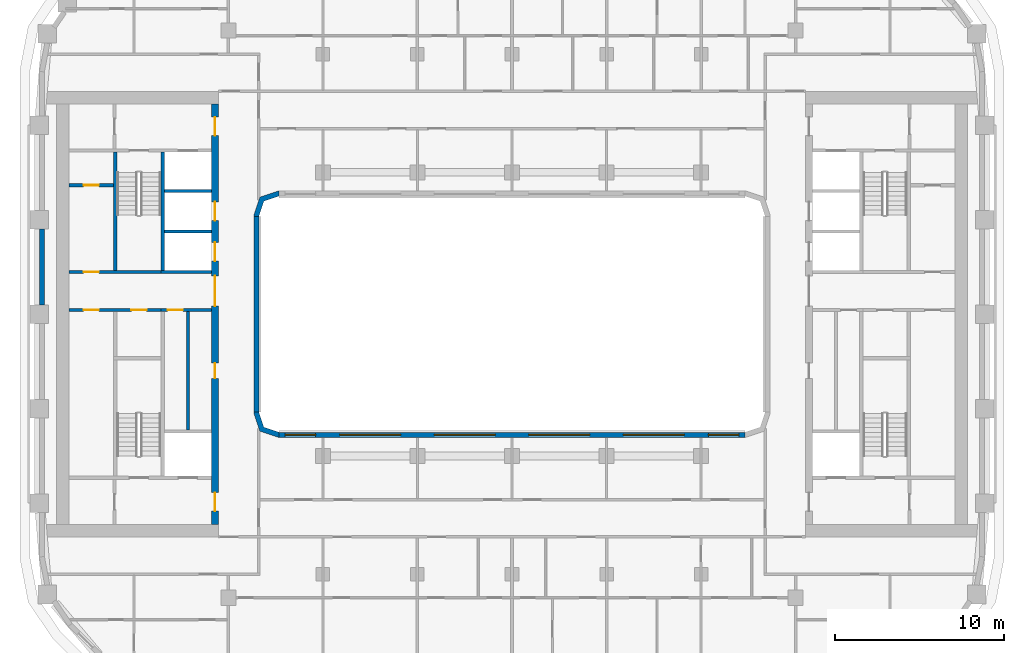
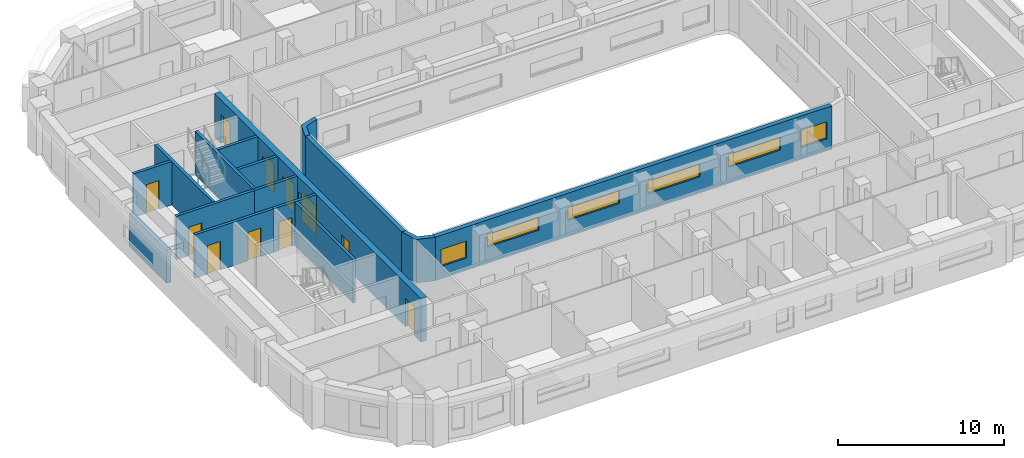
# One storey, part 4 of 22: 16 walls, 11 doors, 6 windows, 17 openings.
"""IFC4 building model written with IfcOpenShell, lengths in metres."""

from ifc_helpers import new_model, si_unit, direction, frame, frame_2d, origin, place, context, subcontext, project, spatial, polyline, rectangle, outline, extrude, material, layer, layer_set, type_object, element, fill, save


model = new_model("IFC4")

# Units and contexts
model_context = context("Model", 3, precision=1e-05, world=origin(), true_north=direction((0.0, 1.0)))
body_context = subcontext(model_context, "Body", "Model", "MODEL_VIEW")
ifc_project = project(units=[si_unit("LENGTHUNIT", "METRE"), si_unit("AREAUNIT", "SQUARE_METRE"), si_unit("VOLUMEUNIT", "CUBIC_METRE"), si_unit("PLANEANGLEUNIT", "RADIAN"), si_unit("MASSUNIT", "GRAM", prefix="KILO")], contexts=[model_context])

# Site, building, storey
site_placement = place(None, origin())
site = spatial("IfcSite", under=ifc_project, at=site_placement, CompositionType="ELEMENT")
building_placement = place(site_placement, origin())
building = spatial("IfcBuilding", under=site, at=building_placement, Name="Kiln Ring Residences", CompositionType="ELEMENT")
storey_placement = place(building_placement, frame((0.0, 0.0, 143.10009765625)))
storey = spatial("IfcBuildingStorey", under=building, at=storey_placement, Name="L36", CompositionType="ELEMENT", Elevation=143.10009765625)

# Wall, openings, doors
ifc_material_1 = material(Name="Gypsum board on steel studs", Category="steel")
ifc_layer_1 = layer(ifc_material_1, 0.199951171875)
ifc_layer_set_1 = layer_set([ifc_layer_1], Name="CORE-PARTITION-200")
wall_type_1 = type_object("IfcWallType", Name="CORE-PARTITION-200", PredefinedType="PARTITIONING", material=ifc_layer_set_1)
wall_1_placement = place(storey_placement, frame((-20.800048828125, 0.25, 0.0), z_axis=(0.0, 0.0, 1.0), x_axis=(-1.0, 0.0, 0.0)))
wall_1 = element("IfcWall", 1, at=wall_1_placement, inside=storey, type_object=wall_type_1, Name="Core partition west L36 2", PredefinedType="PARTITIONING", context=body_context, shape_type="SweptSolid", body=[
    extrude(rectangle(XDim=5.449951171875, YDim=0.199951171875, at=frame_2d((2.72509765625, 0.0))), origin(), (0.0, 0.0, 1.0), 3.199951171875),
])
opening_1_placement = place(wall_1_placement, frame((0.85009765625, 0.0, 0.0)))
opening_1 = element("IfcOpeningElement", 2, at=opening_1_placement, cuts=wall_1, Name="Opening L36-CW14", PredefinedType="OPENING", context=body_context, shape_type="SweptSolid", body=[
    extrude(rectangle(XDim=0.89990234375, YDim=2.10009765625, at=frame_2d((0.449951171875, 1.050048828125))), frame((0.0, 0.10986328125, 0.0), z_axis=(0.0, -1.0, 0.0), x_axis=(1.0, 0.0, 0.0)), (0.0, 0.0, 1.0), 0.219970703125),
])
opening_2_placement = place(wall_1_placement, frame((3.675048828125, 0.0, 0.0)))
opening_2 = element("IfcOpeningElement", 3, at=opening_2_placement, cuts=wall_1, Name="Opening L36-CW15", PredefinedType="OPENING", context=body_context, shape_type="SweptSolid", body=[
    extrude(rectangle(XDim=0.89990234375, YDim=2.10009765625, at=frame_2d((0.449951171875, 1.050048828125))), frame((0.0, 0.10986328125, 0.0), z_axis=(0.0, -1.0, 0.0), x_axis=(1.0, 0.0, 0.0)), (0.0, 0.0, 1.0), 0.219970703125),
])
ifc_material_2 = material(Name="Steel door leaf", Category="steel")
door_type_1 = type_object("IfcDoorType", Name="CORE-DOOR-ROOM", OperationType="SINGLE_SWING_LEFT", PredefinedType="DOOR", material=ifc_material_2)
door_1_placement = place(opening_1_placement, origin())
door_1 = element("IfcDoor", 4, at=door_1_placement, inside=storey, type_object=door_type_1, Name="Refuse and recycling room L36-CW14", OperationType="SINGLE_SWING_RIGHT", OverallHeight=2.10009765625, OverallWidth=0.89990234375, PredefinedType="DOOR", context=body_context, shape_type="SweptSolid", body=[
    extrude(rectangle(XDim=0.89990234375, YDim=2.10009765625, at=frame_2d((0.449951171875, 1.050048828125))), frame((0.0, 0.02490234375, 0.0), z_axis=(0.0, -1.0, 0.0), x_axis=(1.0, 0.0, 0.0)), (0.0, 0.0, 1.0), 0.050048828125),
])
fill(opening_1, door_1)
door_2_placement = place(opening_2_placement, origin())
door_2 = element("IfcDoor", 5, at=door_2_placement, inside=storey, type_object=door_type_1, Name="Water tank room L36-CW15", OperationType="SINGLE_SWING_LEFT", OverallHeight=2.10009765625, OverallWidth=0.89990234375, PredefinedType="DOOR", context=body_context, shape_type="SweptSolid", body=[
    extrude(rectangle(XDim=0.89990234375, YDim=2.10009765625, at=frame_2d((0.449951171875, 1.050048828125))), frame((0.0, 0.02490234375, 0.0), z_axis=(0.0, -1.0, 0.0), x_axis=(1.0, 0.0, 0.0)), (0.0, 0.0, 1.0), 0.050048828125),
])
fill(opening_2, door_2)

# Wall
wall_2_placement = place(storey_placement, frame((-19.199951171875, -6.85009765625, 0.0), z_axis=(0.0, 0.0, 1.0), x_axis=(0.0, 1.0, 0.0)))
element("IfcWall", 6, at=wall_2_placement, inside=storey, type_object=wall_type_1, Name="Core partition west L36 3", PredefinedType="PARTITIONING", context=body_context, shape_type="SweptSolid", body=[
    extrude(rectangle(XDim=7.0, YDim=0.199951171875, at=frame_2d((3.5, 0.0))), origin(), (0.0, 0.0, 1.0), 3.199951171875),
])

# Wall, opening, door
wall_3_placement = place(storey_placement, frame((-23.60009765625, 7.639892578125, 0.0), z_axis=(0.0, 0.0, 1.0), x_axis=(-1.0, 0.0, 0.0)))
wall_3 = element("IfcWall", 7, at=wall_3_placement, inside=storey, type_object=wall_type_1, Name="Core partition west L36 6", PredefinedType="PARTITIONING", context=body_context, shape_type="SweptSolid", body=[
    extrude(rectangle(XDim=2.64990234375, YDim=0.199951171875, at=frame_2d((1.324951171875, 0.0))), origin(), (0.0, 0.0, 1.0), 3.199951171875),
])
opening_3_placement = place(wall_3_placement, frame((0.875, 0.0, 0.0)))
opening_3 = element("IfcOpeningElement", 8, at=opening_3_placement, cuts=wall_3, Name="Opening L36-CW16", PredefinedType="OPENING", context=body_context, shape_type="SweptSolid", body=[
    extrude(rectangle(XDim=0.89990234375, YDim=2.10009765625, at=frame_2d((0.449951171875, 1.050048828125))), frame((0.0, 0.10986328125, 0.0), z_axis=(0.0, -1.0, 0.0), x_axis=(1.0, 0.0, 0.0)), (0.0, 0.0, 1.0), 0.219970703125),
])
door_3_placement = place(opening_3_placement, origin())
door_3 = element("IfcDoor", 9, at=door_3_placement, inside=storey, type_object=door_type_1, Name="UPS room L36-CW16", OperationType="SINGLE_SWING_LEFT", OverallHeight=2.10009765625, OverallWidth=0.89990234375, PredefinedType="DOOR", context=body_context, shape_type="SweptSolid", body=[
    extrude(rectangle(XDim=0.89990234375, YDim=2.10009765625, at=frame_2d((0.449951171875, 1.050048828125))), frame((0.0, 0.02490234375, 0.0), z_axis=(0.0, -1.0, 0.0), x_axis=(1.0, 0.0, 0.0)), (0.0, 0.0, 1.0), 0.050048828125),
])
fill(opening_3, door_3)

ifc_material_3 = material(Name="Gypsum shaft wall system")
ifc_layer_2 = layer(ifc_material_3, 0.199951171875)
ifc_layer_set_2 = layer_set([ifc_layer_2], Name="CORE-SHAFT-WALL-200")
wall_type_2 = type_object("IfcWallType", Name="CORE-SHAFT-WALL-200", PredefinedType="PARTITIONING", material=ifc_layer_set_2)
wall_4_placement = place(storey_placement, frame((-17.800048828125, 0.25, 0.0), z_axis=(0.0, 0.0, 1.0), x_axis=(-1.0, 0.0, 0.0)))
wall_4 = element("IfcWall", 10, at=wall_4_placement, inside=storey, type_object=wall_type_2, Name="Core partition west L36 8", PredefinedType="PARTITIONING", context=body_context, shape_type="SweptSolid", body=[
    extrude(rectangle(XDim=3.0, YDim=0.199951171875, at=frame_2d((1.5, 0.0))), origin(), (0.0, 0.0, 1.0), 3.199951171875),
])
opening_4_placement = place(wall_4_placement, frame((1.699951171875, 0.0, 0.0)))
opening_4 = element("IfcOpeningElement", 11, at=opening_4_placement, cuts=wall_4, Name="Opening L36-CW03", PredefinedType="OPENING", context=body_context, shape_type="SweptSolid", body=[
    extrude(rectangle(XDim=0.89990234375, YDim=2.10009765625, at=frame_2d((0.449951171875, 1.050048828125))), frame((0.0, 0.10986328125, 0.0), z_axis=(0.0, -1.0, 0.0), x_axis=(1.0, 0.0, 0.0)), (0.0, 0.0, 1.0), 0.219970703125),
])
door_4_placement = place(opening_4_placement, origin())
door_4 = element("IfcDoor", 12, at=door_4_placement, inside=storey, type_object=door_type_1, Name="Locker store L36-CW03", OperationType="SINGLE_SWING_LEFT", OverallHeight=2.10009765625, OverallWidth=0.89990234375, PredefinedType="DOOR", context=body_context, shape_type="SweptSolid", body=[
    extrude(rectangle(XDim=0.89990234375, YDim=2.10009765625, at=frame_2d((0.449951171875, 1.050048828125))), frame((0.0, 0.02490234375, 0.0), z_axis=(0.0, -1.0, 0.0), x_axis=(1.0, 0.0, 0.0)), (0.0, 0.0, 1.0), 0.050048828125),
])
fill(opening_4, door_4)

# Walls
wall_5_placement = place(storey_placement, frame((-17.800048828125, 2.5, 0.0), z_axis=(0.0, 0.0, 1.0), x_axis=(-1.0, 0.0, 0.0)))
element("IfcWall", 13, at=wall_5_placement, inside=storey, type_object=wall_type_2, Name="Core partition west L36 9", PredefinedType="PARTITIONING", context=body_context, shape_type="SweptSolid", body=[
    extrude(rectangle(XDim=3.0, YDim=0.199951171875, at=frame_2d((1.5, 0.0))), origin(), (0.0, 0.0, 1.0), 3.199951171875),
])
for number, where, z_axis, x_axis, name in (
    (14, (-17.800048828125, 4.89990234375, 0.0), (0.0, 0.0, 1.0), (-1.0, 0.0, 0.0), "Core partition west L36 10"),
    (15, (-17.800048828125, 7.300048828125, 0.0), (0.0, 0.0, 1.0), (-1.0, 0.0, 0.0), "Core partition west L36 11"),
):
    element("IfcWall", number, at=place(storey_placement, frame(where, z_axis=z_axis, x_axis=x_axis)), inside=storey, type_object=wall_type_2, Name=name, PredefinedType="PARTITIONING", context=body_context, shape_type="SweptSolid", body=[
        extrude(rectangle(XDim=2.800048828125, YDim=0.199951171875, at=frame_2d((1.39990234375, 0.0))), origin(), (0.0, 0.0, 1.0), 3.199951171875),
    ])
ifc_material_4 = material(Name="Concrete C40/50", Category="concrete")
ifc_layer_3 = layer(ifc_material_4, 0.199951171875)
ifc_layer_set_3 = layer_set([ifc_layer_3], Name="CORE-WALL-RC200")
wall_type_3 = type_object("IfcWallType", Name="CORE-WALL-RC200", PredefinedType="SHEAR", material=ifc_layer_set_3)
wall_6_placement = place(storey_placement, frame((-20.699951171875, 2.60009765625, 0.0), z_axis=(0.0, 0.0, 1.0), x_axis=(0.0, 1.0, 0.0)))
element("IfcWall", 16, at=wall_6_placement, inside=storey, type_object=wall_type_3, Name="Core wall west L36 1", PredefinedType="SHEAR", context=body_context, shape_type="SweptSolid", body=[
    extrude(rectangle(XDim=7.0, YDim=0.199951171875, at=frame_2d((3.5, 0.0))), origin(), (0.0, 0.0, 1.0), 3.199951171875),
])

# Wall, opening, door
wall_7_placement = place(storey_placement, frame((-20.800048828125, 2.5, 0.0), z_axis=(0.0, 0.0, 1.0), x_axis=(-1.0, 0.0, 0.0)))
wall_7 = element("IfcWall", 17, at=wall_7_placement, inside=storey, type_object=wall_type_3, Name="Core wall west L36 3", PredefinedType="SHEAR", context=body_context, shape_type="SweptSolid", body=[
    extrude(rectangle(XDim=5.449951171875, YDim=0.199951171875, at=frame_2d((2.72509765625, 0.0))), origin(), (0.0, 0.0, 1.0), 3.199951171875),
])
opening_5_placement = place(wall_7_placement, frame((3.675048828125, 0.0, 0.0)))
opening_5 = element("IfcOpeningElement", 18, at=opening_5_placement, cuts=wall_7, Name="Opening L36-CW17", PredefinedType="OPENING", context=body_context, shape_type="SweptSolid", body=[
    extrude(rectangle(XDim=0.89990234375, YDim=2.10009765625, at=frame_2d((0.449951171875, 1.050048828125))), frame((0.0, 0.10986328125, 0.0), z_axis=(0.0, -1.0, 0.0), x_axis=(1.0, 0.0, 0.0)), (0.0, 0.0, 1.0), 0.219970703125),
])
door_5_placement = place(opening_5_placement, origin())
door_5 = element("IfcDoor", 19, at=door_5_placement, inside=storey, type_object=door_type_1, Name="Electrical plant room L36-CW17", OperationType="SINGLE_SWING_RIGHT", OverallHeight=2.10009765625, OverallWidth=0.89990234375, PredefinedType="DOOR", context=body_context, shape_type="SweptSolid", body=[
    extrude(rectangle(XDim=0.89990234375, YDim=2.10009765625, at=frame_2d((0.449951171875, 1.050048828125))), frame((0.0, 0.02490234375, 0.0), z_axis=(0.0, -1.0, 0.0), x_axis=(1.0, 0.0, 0.0)), (0.0, 0.0, 1.0), 0.050048828125),
])
fill(opening_5, door_5)

# Wall
wall_8_placement = place(storey_placement, frame((-23.5, 2.60009765625, 0.0), z_axis=(0.0, 0.0, 1.0), x_axis=(0.0, 1.0, 0.0)))
element("IfcWall", 20, at=wall_8_placement, inside=storey, type_object=wall_type_3, Name="Core wall west L36 10", PredefinedType="SHEAR", context=body_context, shape_type="SweptSolid", body=[
    extrude(rectangle(XDim=7.0, YDim=0.199951171875, at=frame_2d((3.5, 0.0))), origin(), (0.0, 0.0, 1.0), 3.199951171875),
])

# Wall, openings, doors
ifc_material_5 = material(Name="Concrete C60/75", Category="concrete")
ifc_layer_4 = layer(ifc_material_5, 0.39990234375)
ifc_layer_set_4 = layer_set([ifc_layer_4], Name="CORE-WALL-RC400")
wall_type_4 = type_object("IfcWallType", Name="CORE-WALL-RC400", PredefinedType="SHEAR", material=ifc_layer_set_4)
wall_9_placement = place(storey_placement, frame((-17.60009765625, -12.449951171875, 0.0), z_axis=(0.0, 0.0, 1.0), x_axis=(0.0, 1.0, 0.0)))
wall_9 = element("IfcWall", 21, at=wall_9_placement, inside=storey, type_object=wall_type_4, Name="Core wall west L36 6", PredefinedType="SHEAR", context=body_context, shape_type="SweptSolid", body=[
    extrude(rectangle(XDim=24.89990234375, YDim=0.39990234375, at=frame_2d((12.449951171875, 0.0))), origin(), (0.0, 0.0, 1.0), 3.199951171875),
])
opening_6_placement = place(wall_9_placement, frame((8.64990234375, 0.0, 0.0)))
opening_6 = element("IfcOpeningElement", 22, at=opening_6_placement, cuts=wall_9, Name="Opening L36-CW02", PredefinedType="OPENING", context=body_context, shape_type="SweptSolid", body=[
    extrude(rectangle(XDim=0.89990234375, YDim=2.10009765625, at=frame_2d((0.449951171875, 1.050048828125))), frame((0.0, 0.2099609375, 0.0), z_axis=(0.0, -1.0, 0.0), x_axis=(1.0, 0.0, 0.0)), (0.0, 0.0, 1.0), 0.419921875),
])
opening_7_placement = place(wall_9_placement, frame((15.60009765625, 0.0, 0.0)))
opening_7 = element("IfcOpeningElement", 23, at=opening_7_placement, cuts=wall_9, Name="Opening L36-CW04", PredefinedType="OPENING", context=body_context, shape_type="SweptSolid", body=[
    extrude(rectangle(XDim=1.10009765625, YDim=2.10009765625, at=frame_2d((0.550048828125, 1.050048828125))), frame((0.0, 0.2099609375, 0.0), z_axis=(0.0, -1.0, 0.0), x_axis=(1.0, 0.0, 0.0)), (0.0, 0.0, 1.0), 0.419921875),
])
opening_8_placement = place(wall_9_placement, frame((18.0, 0.0, 0.0)))
opening_8 = element("IfcOpeningElement", 24, at=opening_8_placement, cuts=wall_9, Name="Opening L36-CW05", PredefinedType="OPENING", context=body_context, shape_type="SweptSolid", body=[
    extrude(rectangle(XDim=1.10009765625, YDim=2.10009765625, at=frame_2d((0.550048828125, 1.050048828125))), frame((0.0, 0.2099609375, 0.0), z_axis=(0.0, -1.0, 0.0), x_axis=(1.0, 0.0, 0.0)), (0.0, 0.0, 1.0), 0.419921875),
])
opening_9_placement = place(wall_9_placement, frame((23.02490234375, 0.0, 0.0)))
opening_9 = element("IfcOpeningElement", 25, at=opening_9_placement, cuts=wall_9, Name="Opening L36-CW07", PredefinedType="OPENING", context=body_context, shape_type="SweptSolid", body=[
    extrude(rectangle(XDim=1.10009765625, YDim=2.10009765625, at=frame_2d((0.550048828125, 1.050048828125))), frame((0.0, 0.2099609375, 0.0), z_axis=(0.0, -1.0, 0.0), x_axis=(1.0, 0.0, 0.0)), (0.0, 0.0, 1.0), 0.419921875),
])
opening_10_placement = place(wall_9_placement, frame((0.77490234375, 0.0, 0.0)))
opening_10 = element("IfcOpeningElement", 26, at=opening_10_placement, cuts=wall_9, Name="Opening L36-CW08", PredefinedType="OPENING", context=body_context, shape_type="SweptSolid", body=[
    extrude(rectangle(XDim=1.10009765625, YDim=2.10009765625, at=frame_2d((0.550048828125, 1.050048828125))), frame((0.0, 0.2099609375, 0.0), z_axis=(0.0, -1.0, 0.0), x_axis=(1.0, 0.0, 0.0)), (0.0, 0.0, 1.0), 0.419921875),
])
opening_11_placement = place(wall_9_placement, frame((12.925048828125, 0.0, 0.0)))
opening_11 = element("IfcOpeningElement", 27, at=opening_11_placement, cuts=wall_9, Name="Opening L36-CW13", PredefinedType="OPENING", context=body_context, shape_type="SweptSolid", body=[
    extrude(rectangle(XDim=1.800048828125, YDim=2.10009765625, at=frame_2d((0.89990234375, 1.050048828125))), frame((0.0, 0.2099609375, 0.0), z_axis=(0.0, -1.0, 0.0), x_axis=(1.0, 0.0, 0.0)), (0.0, 0.0, 1.0), 0.419921875),
])
ifc_material_6 = material(Name="Steel door leaf", Category="steel")
door_type_2 = type_object("IfcDoorType", Name="CORE-DOOR-LD", OperationType="DOUBLE_DOOR_SLIDING", PredefinedType="DOOR", material=ifc_material_6)
door_6_placement = place(opening_7_placement, origin())
door_6 = element("IfcDoor", 28, at=door_6_placement, inside=storey, type_object=door_type_2, Name="LD W-M1 L36-CW04", OperationType="DOUBLE_DOOR_SLIDING", OverallHeight=2.10009765625, OverallWidth=1.10009765625, PredefinedType="DOOR", context=body_context, shape_type="SweptSolid", body=[
    extrude(rectangle(XDim=1.10009765625, YDim=2.10009765625, at=frame_2d((0.550048828125, 1.050048828125))), frame((0.0, 0.02490234375, 0.0), z_axis=(0.0, -1.0, 0.0), x_axis=(1.0, 0.0, 0.0)), (0.0, 0.0, 1.0), 0.050048828125),
])
fill(opening_7, door_6)
door_7_placement = place(opening_8_placement, origin())
door_7 = element("IfcDoor", 29, at=door_7_placement, inside=storey, type_object=door_type_2, Name="LD W-M2 L36-CW05", OperationType="DOUBLE_DOOR_SLIDING", OverallHeight=2.10009765625, OverallWidth=1.10009765625, PredefinedType="DOOR", context=body_context, shape_type="SweptSolid", body=[
    extrude(rectangle(XDim=1.10009765625, YDim=2.10009765625, at=frame_2d((0.550048828125, 1.050048828125))), frame((0.0, 0.02490234375, 0.0), z_axis=(0.0, -1.0, 0.0), x_axis=(1.0, 0.0, 0.0)), (0.0, 0.0, 1.0), 0.050048828125),
])
fill(opening_8, door_7)
ifc_material_7 = material(Name="Steel door leaf", Category="steel")
door_type_3 = type_object("IfcDoorType", Name="CORE-DOOR-LOBBY", OperationType="SINGLE_SWING_LEFT", PredefinedType="DOOR", material=ifc_material_7)
door_8_placement = place(opening_9_placement, origin())
door_8 = element("IfcDoor", 30, at=door_8_placement, inside=storey, type_object=door_type_3, Name="FFL L36-CW07", OperationType="SINGLE_SWING_RIGHT", OverallHeight=2.10009765625, OverallWidth=1.10009765625, PredefinedType="DOOR", context=body_context, shape_type="SweptSolid", body=[
    extrude(rectangle(XDim=1.10009765625, YDim=2.10009765625, at=frame_2d((0.550048828125, 1.050048828125))), frame((0.0, 0.02490234375, 0.0), z_axis=(0.0, -1.0, 0.0), x_axis=(1.0, 0.0, 0.0)), (0.0, 0.0, 1.0), 0.050048828125),
])
fill(opening_9, door_8)
door_9_placement = place(opening_10_placement, origin())
door_9 = element("IfcDoor", 31, at=door_9_placement, inside=storey, type_object=door_type_3, Name="SVL L36-CW08", OperationType="SINGLE_SWING_LEFT", OverallHeight=2.10009765625, OverallWidth=1.10009765625, PredefinedType="DOOR", context=body_context, shape_type="SweptSolid", body=[
    extrude(rectangle(XDim=1.10009765625, YDim=2.10009765625, at=frame_2d((0.550048828125, 1.050048828125))), frame((0.0, 0.02490234375, 0.0), z_axis=(0.0, -1.0, 0.0), x_axis=(1.0, 0.0, 0.0)), (0.0, 0.0, 1.0), 0.050048828125),
])
fill(opening_10, door_9)
ifc_material_8 = material(Name="Steel door leaf", Category="steel")
door_type_4 = type_object("IfcDoorType", Name="CORE-DOOR-PASS", OperationType="DOUBLE_DOOR_SINGLE_SWING", PredefinedType="DOOR", material=ifc_material_8)
door_10_placement = place(opening_11_placement, origin())
door_10 = element("IfcDoor", 32, at=door_10_placement, inside=storey, type_object=door_type_4, Name="Core passage L36-CW13", OperationType="DOUBLE_DOOR_SINGLE_SWING", OverallHeight=2.10009765625, OverallWidth=1.800048828125, PredefinedType="DOOR", context=body_context, shape_type="SweptSolid", body=[
    extrude(rectangle(XDim=1.800048828125, YDim=2.10009765625, at=frame_2d((0.89990234375, 1.050048828125))), frame((0.0, 0.02490234375, 0.0), z_axis=(0.0, -1.0, 0.0), x_axis=(1.0, 0.0, 0.0)), (0.0, 0.0, 1.0), 0.050048828125),
])
fill(opening_11, door_10)
door_11_placement = place(opening_6_placement, origin())
door_11 = element("IfcDoor", 33, at=door_11_placement, inside=storey, type_object=door_type_1, Name="Storage room L36-CW02", OperationType="SINGLE_SWING_RIGHT", OverallHeight=2.10009765625, OverallWidth=0.89990234375, PredefinedType="DOOR", context=body_context, shape_type="SweptSolid", body=[
    extrude(rectangle(XDim=0.89990234375, YDim=2.10009765625, at=frame_2d((0.449951171875, 1.050048828125))), frame((0.0, 0.02490234375, 0.0), z_axis=(0.0, -1.0, 0.0), x_axis=(1.0, 0.0, 0.0)), (0.0, 0.0, 1.0), 0.050048828125),
])
fill(opening_6, door_11)

# Walls
ifc_material_9 = material(Name="Brick masonry, dark clay brick", Category="masonry")
ifc_layer_5 = layer(ifc_material_9, 0.300048828125)
ifc_layer_set_5 = layer_set([ifc_layer_5], Name="EW-300 BRICK WALL")
wall_type_5 = type_object("IfcWallType", Name="EW-300 BRICK WALL", PredefinedType="SOLIDWALL", material=ifc_layer_set_5)
wall_10_placement = place(storey_placement, frame((-27.85009765625, 5.050048828125, 0.0), z_axis=(0.0, 0.0, 1.0), x_axis=(0.0, -1.0, 0.0)))
element("IfcWall", 34, at=wall_10_placement, inside=storey, type_object=wall_type_5, Name="Facade wall L36 43", PredefinedType="SOLIDWALL", context=body_context, shape_type="SweptSolid", body=[
    extrude(rectangle(XDim=4.5, YDim=0.300048828125, at=frame_2d((2.25, 0.0))), origin(), (0.0, 0.0, 1.0), 2.449951171875),
])
wall_11_placement = place(storey_placement, frame((-15.14990234375, -5.800048828125, 0.0), z_axis=(0.0, 0.0, 1.0), x_axis=(0.0, 1.0, 0.0)))
element("IfcWall", 35, at=wall_11_placement, inside=storey, type_object=wall_type_5, Name="Facade wall L36 49", PredefinedType="SOLIDWALL", context=body_context, shape_type="SweptSolid", body=[
    extrude(rectangle(XDim=11.60009765625, YDim=0.300048828125, at=frame_2d((5.800048828125, 0.0))), origin(), (0.0, 0.0, 1.0), 3.199951171875),
])

# Wall, openings, windows
wall_12_placement = place(storey_placement, frame((13.800048828125, -7.14990234375, 0.0), z_axis=(0.0, 0.0, 1.0), x_axis=(-1.0, 0.0, 0.0)))
wall_12 = element("IfcWall", 36, at=wall_12_placement, inside=storey, type_object=wall_type_5, Name="Facade wall L36 52", PredefinedType="SOLIDWALL", context=body_context, shape_type="SweptSolid", body=[
    extrude(rectangle(XDim=27.60009765625, YDim=0.300048828125, at=frame_2d((13.800048828125, 0.0))), origin(), (0.0, 0.0, 1.0), 3.199951171875),
])
opening_12_placement = place(wall_12_placement, frame((0.362548828125, 0.0, 0.89990234375)))
opening_12 = element("IfcOpeningElement", 37, at=opening_12_placement, cuts=wall_12, Name="Opening W2", PredefinedType="OPENING", context=body_context, shape_type="SweptSolid", body=[
    extrude(rectangle(XDim=1.800048828125, YDim=1.25, at=frame_2d((0.89990234375, 0.625))), frame((0.0, 0.159912109375, 0.0), z_axis=(0.0, -1.0, 0.0), x_axis=(1.0, 0.0, 0.0)), (0.0, 0.0, 1.0), 0.320068359375),
])
opening_13_placement = place(wall_12_placement, frame((3.60009765625, 0.0, 1.199951171875)))
opening_13 = element("IfcOpeningElement", 38, at=opening_13_placement, cuts=wall_12, Name="Opening W4", PredefinedType="OPENING", context=body_context, shape_type="SweptSolid", body=[
    extrude(rectangle(XDim=3.60009765625, YDim=0.949951171875, at=frame_2d((1.800048828125, 0.47509765625))), frame((0.0, 0.159912109375, 0.0), z_axis=(0.0, -1.0, 0.0), x_axis=(1.0, 0.0, 0.0)), (0.0, 0.0, 1.0), 0.320068359375),
])
opening_14_placement = place(wall_12_placement, frame((9.199951171875, 0.0, 1.199951171875)))
opening_14 = element("IfcOpeningElement", 39, at=opening_14_placement, cuts=wall_12, Name="Opening W4", PredefinedType="OPENING", context=body_context, shape_type="SweptSolid", body=[
    extrude(rectangle(XDim=3.60009765625, YDim=0.949951171875, at=frame_2d((1.800048828125, 0.47509765625))), frame((0.0, 0.159912109375, 0.0), z_axis=(0.0, -1.0, 0.0), x_axis=(1.0, 0.0, 0.0)), (0.0, 0.0, 1.0), 0.320068359375),
])
opening_15_placement = place(wall_12_placement, frame((14.800048828125, 0.0, 1.199951171875)))
opening_15 = element("IfcOpeningElement", 40, at=opening_15_placement, cuts=wall_12, Name="Opening W4", PredefinedType="OPENING", context=body_context, shape_type="SweptSolid", body=[
    extrude(rectangle(XDim=3.60009765625, YDim=0.949951171875, at=frame_2d((1.800048828125, 0.47509765625))), frame((0.0, 0.159912109375, 0.0), z_axis=(0.0, -1.0, 0.0), x_axis=(1.0, 0.0, 0.0)), (0.0, 0.0, 1.0), 0.320068359375),
])
opening_16_placement = place(wall_12_placement, frame((20.39990234375, 0.0, 1.199951171875)))
opening_16 = element("IfcOpeningElement", 41, at=opening_16_placement, cuts=wall_12, Name="Opening W4", PredefinedType="OPENING", context=body_context, shape_type="SweptSolid", body=[
    extrude(rectangle(XDim=3.60009765625, YDim=0.949951171875, at=frame_2d((1.800048828125, 0.47509765625))), frame((0.0, 0.159912109375, 0.0), z_axis=(0.0, -1.0, 0.0), x_axis=(1.0, 0.0, 0.0)), (0.0, 0.0, 1.0), 0.320068359375),
])
opening_17_placement = place(wall_12_placement, frame((25.4375, 0.0, 0.89990234375)))
opening_17 = element("IfcOpeningElement", 42, at=opening_17_placement, cuts=wall_12, Name="Opening W2", PredefinedType="OPENING", context=body_context, shape_type="SweptSolid", body=[
    extrude(rectangle(XDim=1.800048828125, YDim=1.25, at=frame_2d((0.89990234375, 0.625))), frame((0.0, 0.159912109375, 0.0), z_axis=(0.0, -1.0, 0.0), x_axis=(1.0, 0.0, 0.0)), (0.0, 0.0, 1.0), 0.320068359375),
])
ifc_material_10 = material(Name="Aluminium frame with double glazing", Category="aluminium")
window_type_1 = type_object("IfcWindowType", Name="WINDOW 1800 x 1250", PartitioningType="SINGLE_PANEL", PredefinedType="WINDOW", material=ifc_material_10)
window_1_placement = place(opening_12_placement, origin())
window_1 = element("IfcWindow", 43, at=window_1_placement, inside=storey, type_object=window_type_1, Name="Window L36 39", OverallHeight=1.25, OverallWidth=1.800048828125, PartitioningType="SINGLE_PANEL", PredefinedType="WINDOW", context=body_context, shape_type="SweptSolid", body=[
    extrude(rectangle(XDim=1.800048828125, YDim=1.25, at=frame_2d((0.89990234375, 0.625))), frame((0.0, 0.030029296875, 0.0), z_axis=(0.0, -1.0, 0.0), x_axis=(1.0, 0.0, 0.0)), (0.0, 0.0, 1.0), 0.06005859375),
])
fill(opening_12, window_1)
window_2_placement = place(opening_17_placement, origin())
window_2 = element("IfcWindow", 44, at=window_2_placement, inside=storey, type_object=window_type_1, Name="Window L36 44", OverallHeight=1.25, OverallWidth=1.800048828125, PartitioningType="SINGLE_PANEL", PredefinedType="WINDOW", context=body_context, shape_type="SweptSolid", body=[
    extrude(rectangle(XDim=1.800048828125, YDim=1.25, at=frame_2d((0.89990234375, 0.625))), frame((0.0, 0.030029296875, 0.0), z_axis=(0.0, -1.0, 0.0), x_axis=(1.0, 0.0, 0.0)), (0.0, 0.0, 1.0), 0.06005859375),
])
fill(opening_17, window_2)
ifc_material_11 = material(Name="Aluminium frame with double glazing", Category="aluminium")
window_type_2 = type_object("IfcWindowType", Name="WINDOW 3600 x 950", PartitioningType="SINGLE_PANEL", PredefinedType="WINDOW", material=ifc_material_11)
window_3_placement = place(opening_13_placement, origin())
window_3 = element("IfcWindow", 45, at=window_3_placement, inside=storey, type_object=window_type_2, Name="Window L36 40", OverallHeight=0.949951171875, OverallWidth=3.60009765625, PartitioningType="SINGLE_PANEL", PredefinedType="WINDOW", context=body_context, shape_type="SweptSolid", body=[
    extrude(rectangle(XDim=3.60009765625, YDim=0.949951171875, at=frame_2d((1.800048828125, 0.47509765625))), frame((0.0, 0.030029296875, 0.0), z_axis=(0.0, -1.0, 0.0), x_axis=(1.0, 0.0, 0.0)), (0.0, 0.0, 1.0), 0.06005859375),
])
fill(opening_13, window_3)
window_4_placement = place(opening_14_placement, origin())
window_4 = element("IfcWindow", 46, at=window_4_placement, inside=storey, type_object=window_type_2, Name="Window L36 41", OverallHeight=0.949951171875, OverallWidth=3.60009765625, PartitioningType="SINGLE_PANEL", PredefinedType="WINDOW", context=body_context, shape_type="SweptSolid", body=[
    extrude(rectangle(XDim=3.60009765625, YDim=0.949951171875, at=frame_2d((1.800048828125, 0.47509765625))), frame((0.0, 0.030029296875, 0.0), z_axis=(0.0, -1.0, 0.0), x_axis=(1.0, 0.0, 0.0)), (0.0, 0.0, 1.0), 0.06005859375),
])
fill(opening_14, window_4)
window_5_placement = place(opening_15_placement, origin())
window_5 = element("IfcWindow", 47, at=window_5_placement, inside=storey, type_object=window_type_2, Name="Window L36 42", OverallHeight=0.949951171875, OverallWidth=3.60009765625, PartitioningType="SINGLE_PANEL", PredefinedType="WINDOW", context=body_context, shape_type="SweptSolid", body=[
    extrude(rectangle(XDim=3.60009765625, YDim=0.949951171875, at=frame_2d((1.800048828125, 0.47509765625))), frame((0.0, 0.030029296875, 0.0), z_axis=(0.0, -1.0, 0.0), x_axis=(1.0, 0.0, 0.0)), (0.0, 0.0, 1.0), 0.06005859375),
])
fill(opening_15, window_5)
window_6_placement = place(opening_16_placement, origin())
window_6 = element("IfcWindow", 48, at=window_6_placement, inside=storey, type_object=window_type_2, Name="Window L36 43", OverallHeight=0.949951171875, OverallWidth=3.60009765625, PartitioningType="SINGLE_PANEL", PredefinedType="WINDOW", context=body_context, shape_type="SweptSolid", body=[
    extrude(rectangle(XDim=3.60009765625, YDim=0.949951171875, at=frame_2d((1.800048828125, 0.47509765625))), frame((0.0, 0.030029296875, 0.0), z_axis=(0.0, -1.0, 0.0), x_axis=(1.0, 0.0, 0.0)), (0.0, 0.0, 1.0), 0.06005859375),
])
fill(opening_16, window_6)

# Walls
placement = place(storey_placement, origin())
element("IfcWall", 49, at=placement, inside=storey, type_object=wall_type_5, Name="Corner wall L36 1", PredefinedType="SOLIDWALL", context=body_context, shape_type="SweptSolid", body=[
    extrude(outline(polyline([(-13.8486328125, 7.300048828125), (-14.937255859375, 6.937255859375), (-15.300048828125, 5.8486328125), (-15.300048828125, 5.800048828125), (-15.0, 5.800048828125), (-14.699951171875, 6.699951171875), (-13.800048828125, 7.0), (-13.800048828125, 7.300048828125), (-13.8486328125, 7.300048828125)])), origin(), (0.0, 0.0, 1.0), 3.199951171875),
])
element("IfcWall", 50, at=placement, inside=storey, type_object=wall_type_5, Name="Corner wall L36 4", PredefinedType="SOLIDWALL", context=body_context, shape_type="SweptSolid", body=[
    extrude(outline(polyline([(-14.937255859375, -6.937255859375), (-13.8486328125, -7.300048828125), (-13.800048828125, -7.300048828125), (-13.800048828125, -7.0), (-14.699951171875, -6.699951171875), (-15.0, -5.800048828125), (-15.300048828125, -5.800048828125), (-15.300048828125, -5.8486328125), (-14.937255859375, -6.937255859375)])), origin(), (0.0, 0.0, 1.0), 3.199951171875),
])

save(model, "model.ifc")
